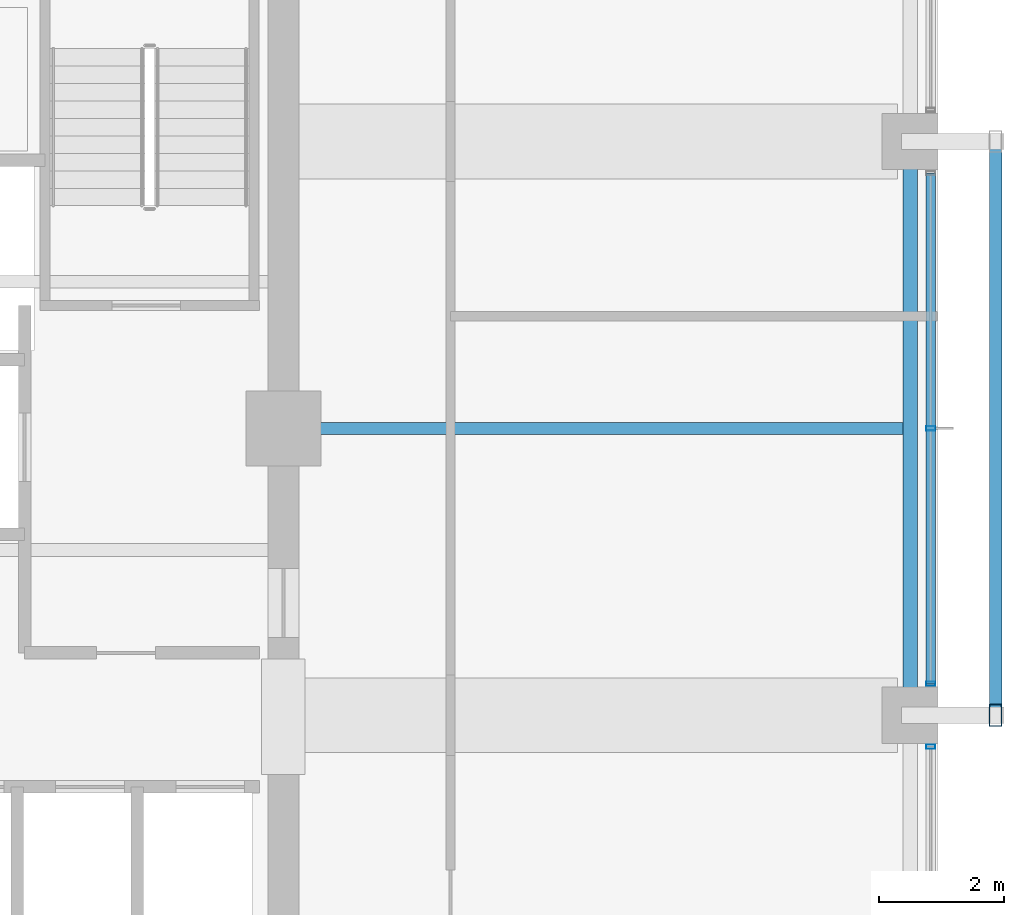
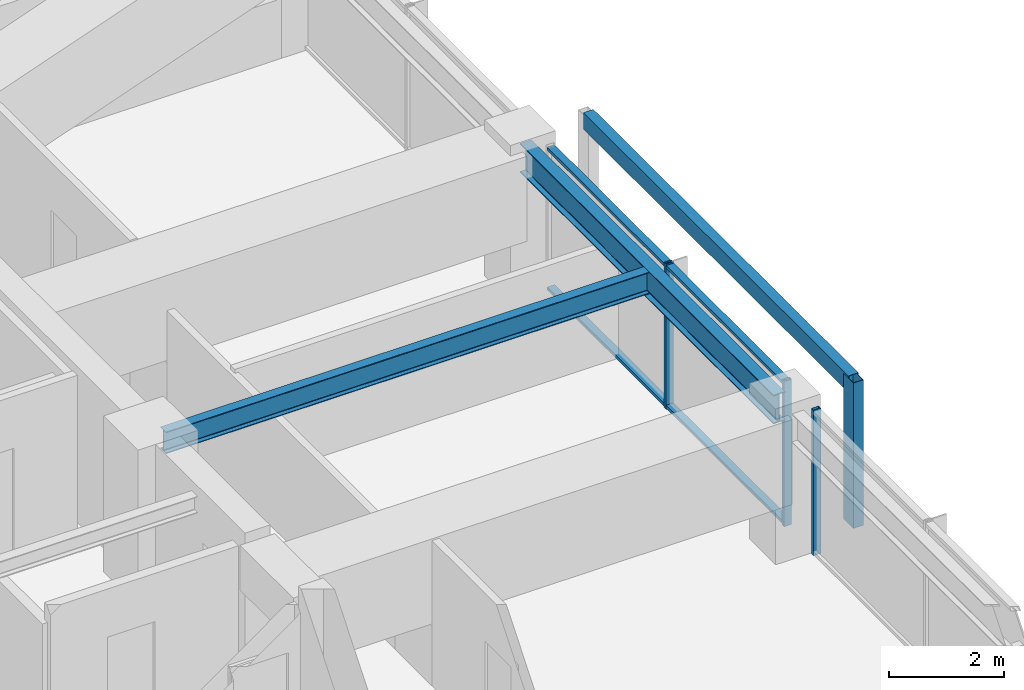
# One storey, part 14 of 37: 7 members, 2 beams, 2 elements without a shape of their own.
"""IFC4 building model written with IfcOpenShell, lengths in metres."""

from ifc_helpers import new_model, si_unit, direction, frame, origin, origin_2d, place, context, subcontext, project, spatial, hollow_rectangle, i_section, extrude, material, material_profile, profile_set, type_object, element, aggregate, save


model = new_model("IFC4")

# Units and contexts
model_context = context("Model", 3, precision=1e-05, world=origin(), true_north=direction((0.0, 1.0)))
body_context = subcontext(model_context, "Body", "Model", "MODEL_VIEW")
ifc_project = project(units=[si_unit("LENGTHUNIT", "METRE"), si_unit("AREAUNIT", "SQUARE_METRE"), si_unit("VOLUMEUNIT", "CUBIC_METRE"), si_unit("PLANEANGLEUNIT", "RADIAN"), si_unit("MASSUNIT", "GRAM", prefix="KILO")], contexts=[model_context])

# Site, building, storey
site_placement = place(None, origin())
site = spatial("IfcSite", under=ifc_project, at=site_placement, CompositionType="ELEMENT")
building_placement = place(site_placement, origin())
building = spatial("IfcBuilding", under=site, at=building_placement, Name="Kolvaren Belvedere", CompositionType="ELEMENT")
storey_placement = place(building_placement, frame((0.0, 0.0, 186.60009765625)))
storey = spatial("IfcBuildingStorey", under=building, at=storey_placement, Name="L54", CompositionType="ELEMENT", Elevation=186.60009765625)

# Beams
ifc_material_1 = material(Name="Structural steel ASTM A992 Grade 50", Category="steel")
ifc_material_profile_1 = material_profile(ifc_material_1, i_section(OverallWidth=0.19091796875, OverallDepth=0.4599609375, WebThickness=0.010009765625, FlangeThickness=0.01611328125, FilletRadius=0.014892578125, at=origin_2d()), Name="W18X55")
ifc_profile_set_1 = profile_set([ifc_material_profile_1], Name="Structural steel ASTM A992 Grade 50")
beam_type_1 = type_object("IfcBeamType", Name="BM-JOIST-W18X55", PredefinedType="BEAM", material=ifc_profile_set_1)
beam_1_placement = place(storey_placement, frame((10.14990234375, 0.0, 2.849853515625), z_axis=(1.0, 0.0, 0.0), x_axis=(0.0, 1.0, 0.0)))
element("IfcBeam", 1, at=beam_1_placement, inside=storey, type_object=beam_type_1, Name="L54 East Centre Floor Beam", PredefinedType="BEAM", context=body_context, shape_type="SweptSolid", body=[
    extrude(i_section(OverallWidth=0.19091796875, OverallDepth=0.4599609375, WebThickness=0.010009765625, FlangeThickness=0.01611328125, FilletRadius=0.014892578125, at=origin_2d()), origin(), (0.0, 0.0, 1.0), 9.685546875),
])
ifc_material_2 = material(Name="Structural steel ASTM A992 Grade 50", Category="steel")
ifc_material_profile_2 = material_profile(ifc_material_2, i_section(OverallWidth=0.22900390625, OverallDepth=0.612060546875, WebThickness=0.011962890625, FlangeThickness=0.01953125, FilletRadius=0.01806640625, at=origin_2d()), Name="W24X84")
ifc_profile_set_2 = profile_set([ifc_material_profile_2], Name="Structural steel ASTM A992 Grade 50")
beam_type_2 = type_object("IfcBeamType", Name="BM-SPAN-W24X84", PredefinedType="SPANDREL", material=ifc_profile_set_2)
beam_2_placement = place(storey_placement, frame((19.949951171875, -4.3974609375, 2.77392578125), z_axis=(0.0, 1.0, 0.0), x_axis=(-1.0, 0.0, 0.0)))
element("IfcBeam", 2, at=beam_2_placement, inside=storey, type_object=beam_type_2, Name="L54 Perimeter Spandrel E2-E3", PredefinedType="SPANDREL", context=body_context, shape_type="SweptSolid", body=[
    extrude(i_section(OverallWidth=0.22900390625, OverallDepth=0.612060546875, WebThickness=0.011962890625, FlangeThickness=0.01953125, FilletRadius=0.01806640625, at=origin_2d()), origin(), (0.0, 0.0, 1.0), 8.794921875),
])

# Curtain wall, members
ifc_material_3 = material(Name="Anodised pale-metal aluminium AA 6063-T6", Category="aluminium")
curtain_wall_type = type_object("IfcCurtainWallType", Name="CW-Z5-HIGH", PredefinedType="NOTDEFINED", material=ifc_material_3)
curtain_wall_1_placement = place(storey_placement, origin())
curtain_wall_1 = element("IfcCurtainWall", 3, at=curtain_wall_1_placement, inside=storey, type_object=curtain_wall_type, Name="L54 Unitised Curtain Wall FCW-L54-E-B2", PredefinedType="NOTDEFINED")
ifc_material_4 = material(Name="Anodised pale-metal aluminium AA 6063-T6", Category="aluminium")
ifc_material_profile_3 = material_profile(ifc_material_4, hollow_rectangle(XDim=0.070068359375, YDim=0.14990234375, WallThickness=0.004150390625, at=origin_2d()), Name="ALU-MUL-150X70")
ifc_profile_set_3 = profile_set([ifc_material_profile_3], Name="Anodised pale-metal aluminium AA 6063-T6")
member_type_1 = type_object("IfcMemberType", Name="CW-MUL-150", PredefinedType="MULLION", material=ifc_profile_set_3)
member_1_placement = place(storey_placement, frame((20.280029296875, 0.0, 0.0), z_axis=(0.0, 0.0, 1.0), x_axis=(0.0, 1.0, 0.0)))
member_1 = element("IfcMember", 4, at=member_1_placement, type_object=member_type_1, Name="FCW-L54-E-B2 Unitised Mullion 2", PredefinedType="MULLION", context=body_context, shape_type="SweptSolid", body=[
    extrude(hollow_rectangle(XDim=0.070068359375, YDim=0.14990234375, WallThickness=0.004150390625, at=origin_2d()), origin(), (0.0, 0.0, 1.0), 3.079833984375),
])
member_2_placement = place(storey_placement, frame((20.280029296875, -4.094970703125, 0.0), z_axis=(0.0, 0.0, 1.0), x_axis=(0.0, 1.0, 0.0)))
member_2 = element("IfcMember", 5, at=member_2_placement, type_object=member_type_1, Name="FCW-L54-E-B2 Unitised Mullion 3", PredefinedType="MULLION", context=body_context, shape_type="SweptSolid", body=[
    extrude(hollow_rectangle(XDim=0.070068359375, YDim=0.14990234375, WallThickness=0.004150390625, at=origin_2d()), origin(), (0.0, 0.0, 1.0), 3.079833984375),
])

# Curtain wall, member
curtain_wall_2_placement = place(storey_placement, origin())
curtain_wall_2 = element("IfcCurtainWall", 6, at=curtain_wall_2_placement, inside=storey, type_object=curtain_wall_type, Name="L54 Unitised Curtain Wall FCW-L54-E-B3", PredefinedType="NOTDEFINED")
member_3_placement = place(storey_placement, frame((20.280029296875, -5.10498046875, 0.0), z_axis=(0.0, 0.0, 1.0), x_axis=(0.0, 1.0, 0.0)))
member_3 = element("IfcMember", 7, at=member_3_placement, type_object=member_type_1, Name="FCW-L54-E-B3 Unitised Mullion 1", PredefinedType="MULLION", context=body_context, shape_type="SweptSolid", body=[
    extrude(hollow_rectangle(XDim=0.070068359375, YDim=0.14990234375, WallThickness=0.004150390625, at=origin_2d()), origin(), (0.0, 0.0, 1.0), 3.079833984375),
])
aggregate(curtain_wall_2, [member_3])

# Member
ifc_material_5 = material(Name="Anodised pale-metal aluminium AA 6063-T6", Category="aluminium")
ifc_material_profile_4 = material_profile(ifc_material_5, hollow_rectangle(XDim=0.06494140625, YDim=0.14990234375, WallThickness=0.00390625, at=origin_2d()), Name="ALU-TRN-150X65")
ifc_profile_set_4 = profile_set([ifc_material_profile_4], Name="Anodised pale-metal aluminium AA 6063-T6")
member_type_2 = type_object("IfcMemberType", Name="CW-TRN-150", PredefinedType="USERDEFINED", material=ifc_profile_set_4)
member_4_placement = place(storey_placement, frame((20.280029296875, 4.094970703125, 0.059814453125), z_axis=(0.0, -1.0, 0.0), x_axis=(0.0, 0.0, 1.0)))
member_4 = element("IfcMember", 8, at=member_4_placement, type_object=member_type_2, Name="FCW-L54-E-B2 Sill Transom", ObjectType="TRANSOM", PredefinedType="USERDEFINED", context=body_context, shape_type="SweptSolid", body=[
    extrude(hollow_rectangle(XDim=0.06494140625, YDim=0.14990234375, WallThickness=0.00390625, at=origin_2d()), origin(), (0.0, 0.0, 1.0), 8.18994140625),
])

member_5_placement = place(storey_placement, frame((20.280029296875, 4.094970703125, 3.02001953125), z_axis=(0.0, -1.0, 0.0), x_axis=(0.0, 0.0, 1.0)))
member_5 = element("IfcMember", 9, at=member_5_placement, type_object=member_type_2, Name="FCW-L54-E-B2 Head Transom", ObjectType="TRANSOM", PredefinedType="USERDEFINED", context=body_context, shape_type="SweptSolid", body=[
    extrude(hollow_rectangle(XDim=0.06494140625, YDim=0.14990234375, WallThickness=0.00390625, at=origin_2d()), origin(), (0.0, 0.0, 1.0), 8.18994140625),
])

aggregate(curtain_wall_1, [member_1, member_2, member_4, member_5])

# Members
ifc_material_6 = material(Name="Anodised pale-metal aluminium AA 6063-T6", Category="aluminium")
ifc_material_profile_5 = material_profile(ifc_material_6, hollow_rectangle(XDim=0.199951171875, YDim=0.35009765625, WallThickness=0.007568359375, at=origin_2d()), Name="ALU-PF-350X200")
ifc_profile_set_5 = profile_set([ifc_material_profile_5], Name="Anodised pale-metal aluminium AA 6063-T6")
member_type_3 = type_object("IfcMemberType", Name="PF-FRAME-350", PredefinedType="USERDEFINED", material=ifc_profile_set_5)
member_6_placement = place(storey_placement, frame((21.320068359375, -4.60009765625, 0.0), z_axis=(0.0, 0.0, 1.0), x_axis=(1.0, 0.0, 0.0)))
element("IfcMember", 10, at=member_6_placement, inside=storey, type_object=member_type_3, Name="L54 Outboard Picture-Frame Vertical E2", ObjectType="PICTURE FRAME FIN", PredefinedType="USERDEFINED", context=body_context, shape_type="SweptSolid", body=[
    extrude(hollow_rectangle(XDim=0.199951171875, YDim=0.35009765625, WallThickness=0.007568359375, at=origin_2d()), origin(), (0.0, 0.0, 1.0), 3.079833984375),
])
member_7_placement = place(storey_placement, frame((21.320068359375, 4.60009765625, 2.949951171875), z_axis=(0.0, -1.0, 0.0), x_axis=(1.0, 0.0, 0.0)))
element("IfcMember", 11, at=member_7_placement, inside=storey, type_object=member_type_3, Name="L54 Outboard Picture-Frame Head E", ObjectType="PICTURE FRAME FIN", PredefinedType="USERDEFINED", context=body_context, shape_type="SweptSolid", body=[
    extrude(hollow_rectangle(XDim=0.199951171875, YDim=0.35009765625, WallThickness=0.007568359375, at=origin_2d()), origin(), (0.0, 0.0, 1.0), 9.2001953125),
])

save(model, "model.ifc")
